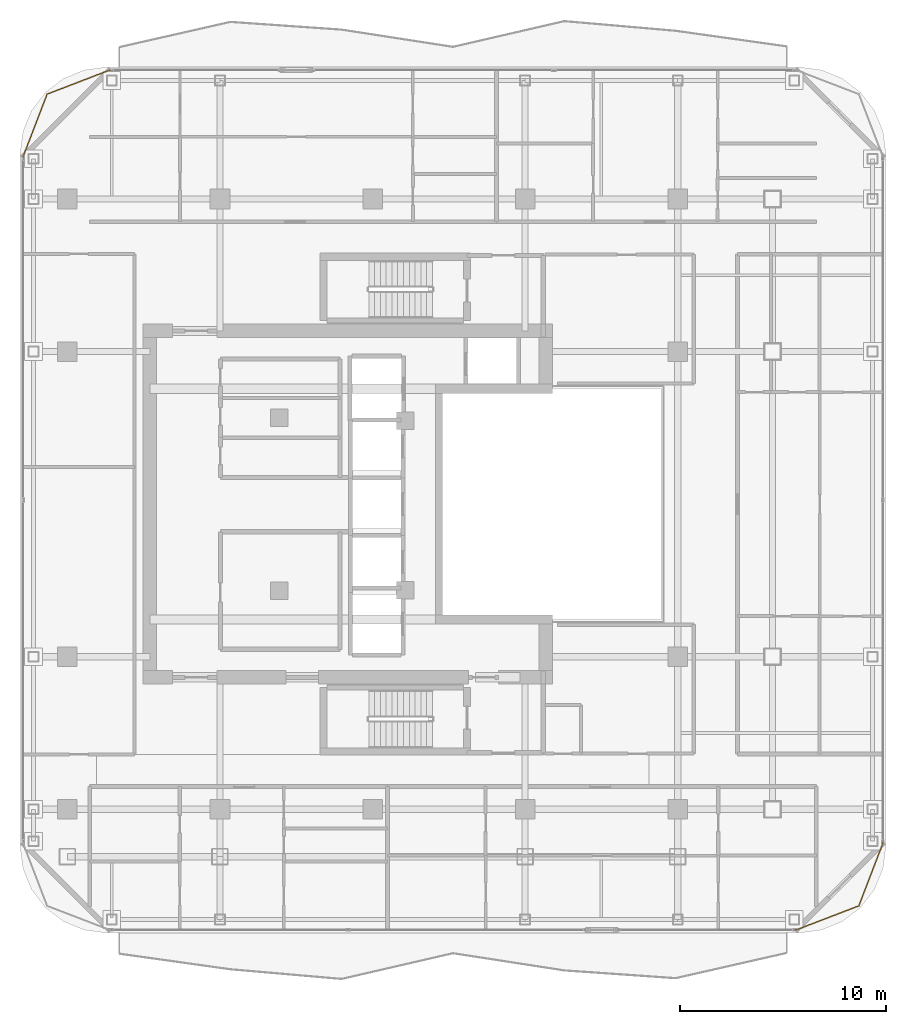
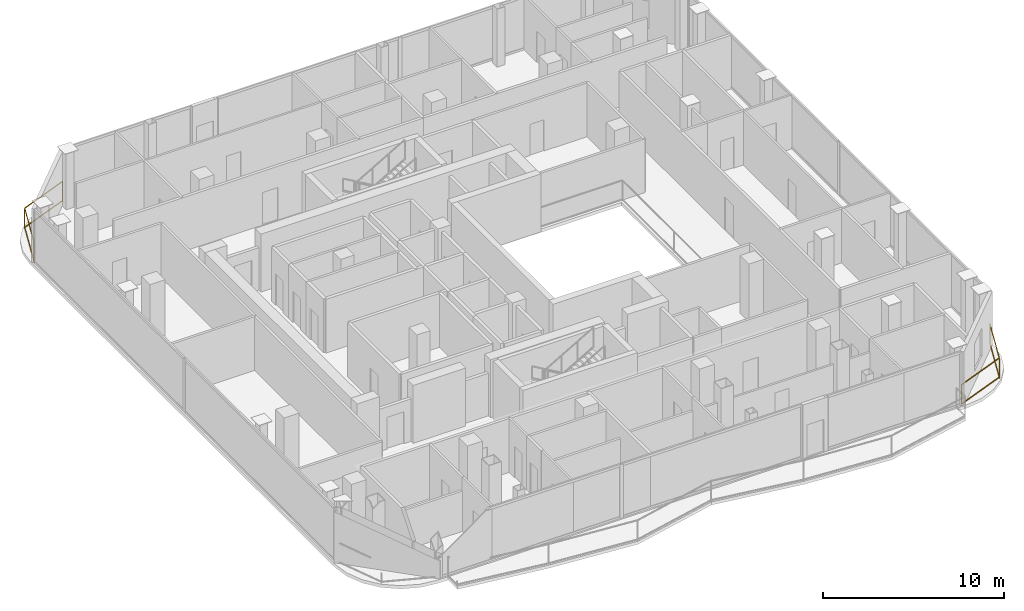
# One storey, part 21 of 22: 2 railings.
"""IFC4 building model written with IfcOpenShell, lengths in metres."""

from ifc_helpers import new_model, si_unit, direction, frame, origin, origin_2d, place, context, subcontext, project, spatial, rectangle, extrude, material, type_object, element, save


model = new_model("IFC4")

# Units and contexts
model_context = context("Model", 3, precision=1e-05, world=origin(), true_north=direction((0.0, 1.0)))
body_context = subcontext(model_context, "Body", "Model", "MODEL_VIEW")
ifc_project = project(units=[si_unit("LENGTHUNIT", "METRE"), si_unit("AREAUNIT", "SQUARE_METRE"), si_unit("VOLUMEUNIT", "CUBIC_METRE"), si_unit("PLANEANGLEUNIT", "RADIAN"), si_unit("MASSUNIT", "GRAM", prefix="KILO")], contexts=[model_context])

# Site, building, storey
site_placement = place(None, origin())
site = spatial("IfcSite", under=ifc_project, at=site_placement, CompositionType="ELEMENT")
building_placement = place(site_placement, origin())
building = spatial("IfcBuilding", under=site, at=building_placement, Name="Khorvyn Point Tower", CompositionType="ELEMENT")
storey_placement = place(building_placement, frame((0.0, 0.0, 282.0)))
storey = spatial("IfcBuildingStorey", under=building, at=storey_placement, Name="L69", CompositionType="ELEMENT", Elevation=282.0)

# Railings
ifc_material = material(Name="Anodised aluminium 6063-T6 and laminated safety glass", Category="aluminium")
railing_type = type_object("IfcRailingType", Name="Laminated Glass and Aluminium Balcony Guardrail 1400", PredefinedType="BALUSTRADE", material=ifc_material)
railing_1_placement = place(storey_placement, frame((-12.6865234375, 21.074462890625, 0.0)))
element("IfcRailing", 1, at=railing_1_placement, inside=storey, type_object=railing_type, Name="L69 Rounded Corner Edge Guardrail NW", PredefinedType="BALUSTRADE", context=body_context, shape_type="SweptSolid", body=[
    extrude(rectangle(XDim=0.048095703125, YDim=0.048095703125, at=origin_2d()), frame((0.0, 0.0, 1.3759765625), z_axis=(-0.93357103624, -0.358392411044, 0.0), x_axis=(0.358392411044, -0.93357103624, 0.0)), (0.0, 0.0, 1.0), 3.31884765625),
    extrude(rectangle(XDim=0.048095703125, YDim=0.048095703125, at=origin_2d()), frame((0.0, 0.0, 0.080078125), z_axis=(-0.93357103624, -0.358392411044, 0.0), x_axis=(0.358392411044, -0.93357103624, 0.0)), (0.0, 0.0, 1.0), 3.31884765625),
    extrude(rectangle(XDim=0.048095703125, YDim=0.048095703125, at=origin_2d()), frame((-3.098388671875, -1.189453125, 1.3759765625), z_axis=(-0.358392411044, -0.93357103624, 0.0), x_axis=(0.93357103624, -0.358392411044, 0.0)), (0.0, 0.0, 1.0), 3.31884765625),
    extrude(rectangle(XDim=0.048095703125, YDim=0.048095703125, at=origin_2d()), frame((-3.098388671875, -1.189453125, 0.080078125), z_axis=(-0.358392411044, -0.93357103624, 0.0), x_axis=(0.93357103624, -0.358392411044, 0.0)), (0.0, 0.0, 1.0), 3.31884765625),
    extrude(rectangle(XDim=0.0419921875, YDim=0.0419921875, at=origin_2d()), origin(), (0.0, 0.0, 1.0), 1.351806640625),
    extrude(rectangle(XDim=0.0419921875, YDim=0.0419921875, at=origin_2d()), frame((-3.098388671875, -1.189453125, 0.0)), (0.0, 0.0, 1.0), 1.351806640625),
    extrude(rectangle(XDim=0.0419921875, YDim=0.0419921875, at=origin_2d()), frame((-4.287841796875, -4.287841796875, 0.0)), (0.0, 0.0, 1.0), 1.351806640625),
])
railing_2_placement = place(storey_placement, frame((20.486572265625, -20.67431640625, 0.0)))
element("IfcRailing", 2, at=railing_2_placement, inside=storey, type_object=railing_type, Name="L69 Rounded Corner Edge Guardrail SE", PredefinedType="BALUSTRADE", context=body_context, shape_type="SweptSolid", body=[
    extrude(rectangle(XDim=0.048095703125, YDim=0.048095703125, at=origin_2d()), frame((0.0, 0.0, 1.3759765625), z_axis=(0.933595647299, 0.358328295484, 0.0), x_axis=(-0.358328295484, 0.933595647299, 0.0)), (0.0, 0.0, 1.0), 3.31884765625),
    extrude(rectangle(XDim=0.048095703125, YDim=0.048095703125, at=origin_2d()), frame((0.0, 0.0, 0.080078125), z_axis=(0.933595647299, 0.358328295484, 0.0), x_axis=(-0.358328295484, 0.933595647299, 0.0)), (0.0, 0.0, 1.0), 3.31884765625),
    extrude(rectangle(XDim=0.048095703125, YDim=0.048095703125, at=origin_2d()), frame((3.098388671875, 1.189208984375, 1.3759765625), z_axis=(0.358367799998, 0.933580483903, 0.0), x_axis=(-0.933580483903, 0.358367799998, 0.0)), (0.0, 0.0, 1.0), 3.319091796875),
    extrude(rectangle(XDim=0.048095703125, YDim=0.048095703125, at=origin_2d()), frame((3.098388671875, 1.189208984375, 0.080078125), z_axis=(0.358367799998, 0.933580483903, 0.0), x_axis=(-0.933580483903, 0.358367799998, 0.0)), (0.0, 0.0, 1.0), 3.319091796875),
    extrude(rectangle(XDim=0.0419921875, YDim=0.0419921875, at=origin_2d()), origin(), (0.0, 0.0, 1.0), 1.351806640625),
    extrude(rectangle(XDim=0.0419921875, YDim=0.0419921875, at=origin_2d()), frame((3.098388671875, 1.189208984375, 0.0)), (0.0, 0.0, 1.0), 1.351806640625),
    extrude(rectangle(XDim=0.0419921875, YDim=0.0419921875, at=origin_2d()), frame((4.287841796875, 4.287841796875, 0.0)), (0.0, 0.0, 1.0), 1.351806640625),
])

save(model, "model.ifc")
